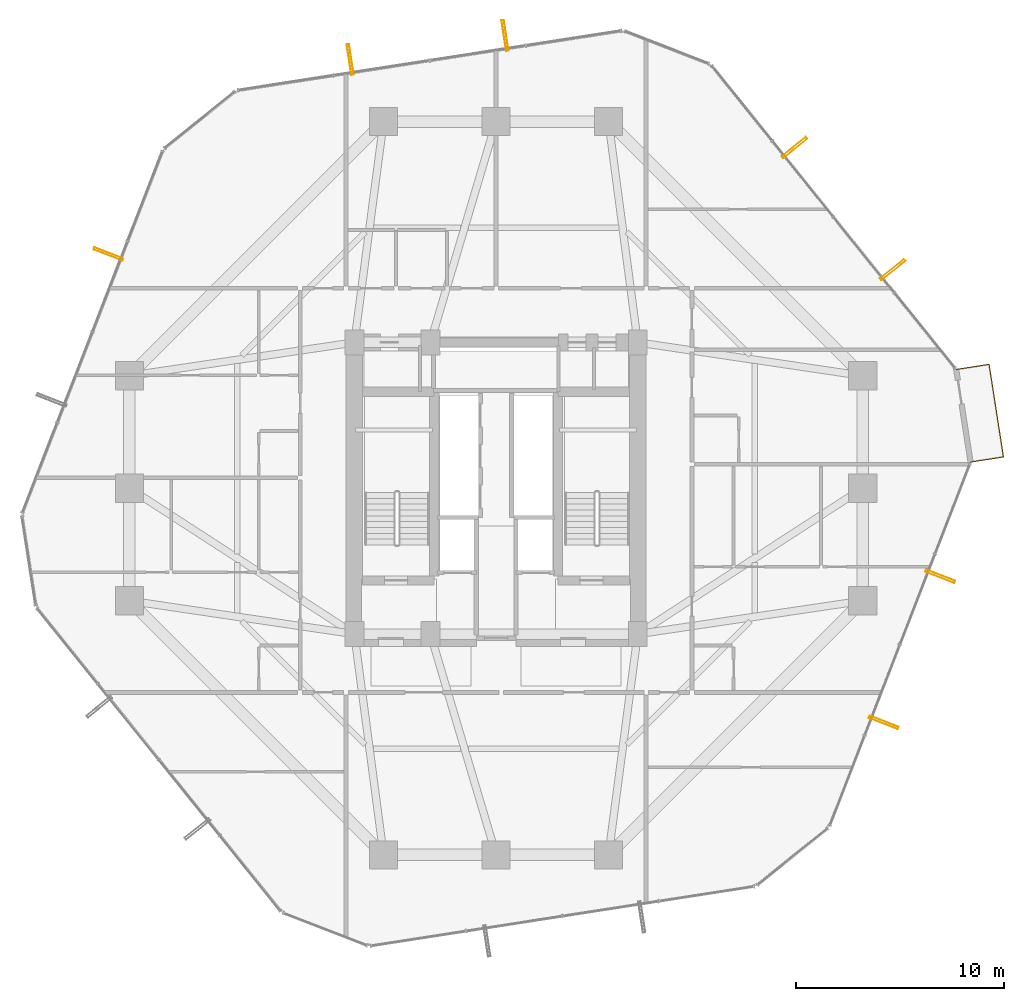
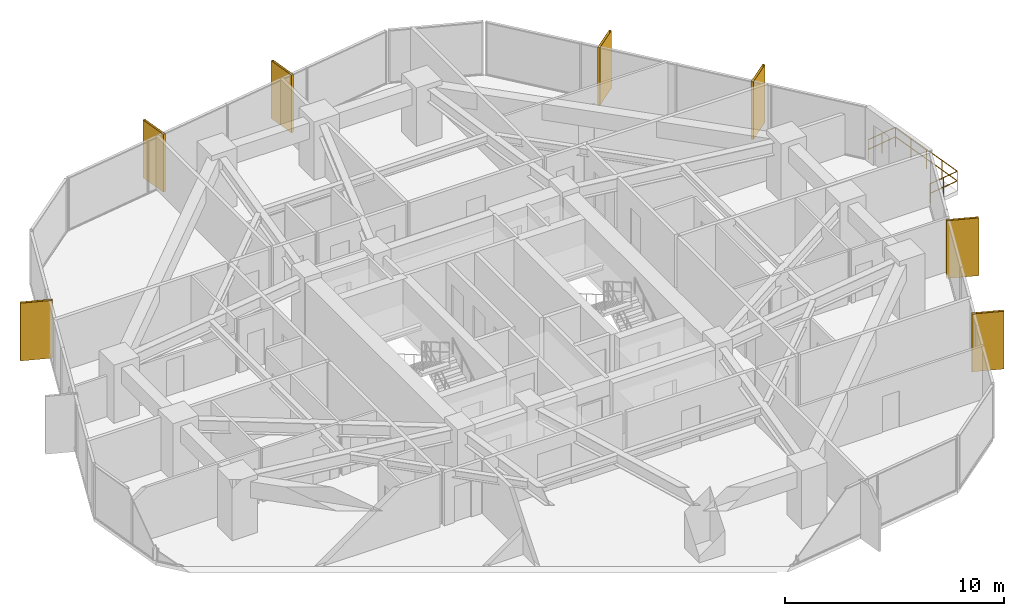
# One storey, part 37 of 37: 7 shading devices, 1 railing.
"""IFC4 building model written with IfcOpenShell, lengths in metres."""

from ifc_helpers import new_model, si_unit, direction, frame, origin, origin_2d, place, context, subcontext, project, spatial, hollow_rectangle, circle, extrude, material, material_profile, profile_set, type_object, element, save


model = new_model("IFC4")

# Units and contexts
model_context = context("Model", 3, precision=1e-05, world=origin(), true_north=direction((0.0, 1.0)))
body_context = subcontext(model_context, "Body", "Model", "MODEL_VIEW")
ifc_project = project(units=[si_unit("LENGTHUNIT", "METRE"), si_unit("AREAUNIT", "SQUARE_METRE"), si_unit("VOLUMEUNIT", "CUBIC_METRE"), si_unit("PLANEANGLEUNIT", "RADIAN"), si_unit("MASSUNIT", "GRAM", prefix="KILO")], contexts=[model_context])

# Site, building, storey
site_placement = place(None, origin())
site = spatial("IfcSite", under=ifc_project, at=site_placement, CompositionType="ELEMENT")
building_placement = place(site_placement, origin())
building = spatial("IfcBuilding", under=site, at=building_placement, Name="Veraguas Prism Commons", CompositionType="ELEMENT")
storey_placement = place(building_placement, frame((0.0, 0.0, 53.300048828125)))
storey = spatial("IfcBuildingStorey", under=building, at=storey_placement, Name="L14", CompositionType="ELEMENT", Elevation=53.300048828125)

# Shading devices
ifc_material_1 = material(Name="Anodised aluminium EN AW-6063 T6", Category="aluminium")
ifc_material_profile = material_profile(ifc_material_1, hollow_rectangle(XDim=0.1201171875, YDim=1.489990234375, WallThickness=0.006103515625, at=origin_2d()), Name="FIN120X1490X6")
ifc_profile_set = profile_set([ifc_material_profile], Name="Anodised aluminium EN AW-6063 T6")
shading_device_type = type_object("IfcShadingDeviceType", Name="Deep Pale-Metal Vertical Solar Fin 120x1490", PredefinedType="USERDEFINED", material=ifc_profile_set)
for number, where, z_axis, x_axis, name in (
    (1, (43.0380859375, 34.490966796875, -0.22998046875), (0.0, 0.0, 1.0), (-0.626874453633, 0.779120285567, 0.0), "Vertical Pale-Metal Solar Fin L14-F1A"),
    (2, (38.322998046875, 40.351318359375, -0.22998046875), (0.0, 0.0, 1.0), (-0.626874453633, 0.779120285567, 0.0), "Vertical Pale-Metal Solar Fin L14-F1B"),
    (3, (24.43359375, 45.73291015625, -0.22998046875), (0.0, 0.0, 1.0), (-0.98817491911, -0.153330783737, 0.0), "Vertical Pale-Metal Solar Fin L14-F2A"),
    (4, (17.0009765625, 44.579833984375, -0.22998046875), (0.0, 0.0, 1.0), (-0.98817491911, -0.153330783737, 0.0), "Vertical Pale-Metal Solar Fin L14-F2B"),
    (5, (5.3955078125, 35.241943359375, -0.22998046875), (0.0, 0.0, 1.0), (-0.361297478224, -0.932450605785, 0.0), "Vertical Pale-Metal Solar Fin L14-F3A"),
    (6, (42.6044921875, 12.758056640625, -0.22998046875), (0.0, 0.0, 1.0), (0.361297478224, 0.932450605785, 0.0), "Vertical Pale-Metal Solar Fin L14-F6A"),
    (7, (45.322021484375, 19.771484375, -0.22998046875), (0.0, 0.0, 1.0), (0.361297478224, 0.932450605785, 0.0), "Vertical Pale-Metal Solar Fin L14-F6B"),
):
    element("IfcShadingDevice", number, at=place(storey_placement, frame(where, z_axis=z_axis, x_axis=x_axis)), inside=storey, type_object=shading_device_type, Name=name, ObjectType="FIN", PredefinedType="USERDEFINED", context=body_context, shape_type="SweptSolid", body=[
        extrude(hollow_rectangle(XDim=0.1201171875, YDim=1.489990234375, WallThickness=0.006103515625, at=origin_2d()), origin(), (0.0, 0.0, 1.0), 3.219970703125),
    ])

# Railing
ifc_material_2 = material(Name="Stainless steel AISI 316", Category="steel")
railing_type = type_object("IfcRailingType", Name="Loggia and Sky Pool Glazed Balustrade 1120", PredefinedType="BALUSTRADE", material=ifc_material_2)
railing_placement = place(storey_placement, frame((46.777587890625, 25.25732421875, 0.0)))
element("IfcRailing", 8, at=railing_placement, inside=storey, type_object=railing_type, Name="Recessed Corner Loggia L14-C1 Guard", PredefinedType="BALUSTRADE", context=body_context, shape_type="SweptSolid", body=[
    extrude(circle(Radius=0.02392578125, at=origin_2d()), frame((0.0, 0.0, 1.09619140625), z_axis=(0.988171511411, 0.153352743818, 0.0), x_axis=(-0.153352743818, 0.988171511411, 0.0)), (0.0, 0.0, 1.0), 1.60009765625),
    extrude(circle(Radius=0.02392578125, at=origin_2d()), frame((0.0, 0.0, 0.56005859375), z_axis=(0.988171511411, 0.153352743818, 0.0), x_axis=(-0.153352743818, 0.988171511411, 0.0)), (0.0, 0.0, 1.0), 1.60009765625),
    extrude(circle(Radius=0.02392578125, at=origin_2d()), frame((1.5810546875, 0.245361328125, 1.09619140625), z_axis=(-0.153320888348, 0.988176454484, 0.0), x_axis=(-0.988176454484, -0.153320888348, 0.0)), (0.0, 0.0, 1.0), 4.5),
    extrude(circle(Radius=0.02392578125, at=origin_2d()), frame((1.5810546875, 0.245361328125, 0.56005859375), z_axis=(-0.153320888348, 0.988176454484, 0.0), x_axis=(-0.988176454484, -0.153320888348, 0.0)), (0.0, 0.0, 1.0), 4.5),
    extrude(circle(Radius=0.02392578125, at=origin_2d()), frame((0.89111328125, 4.692138671875, 1.09619140625), z_axis=(-0.988175099063, -0.153329623986, 0.0), x_axis=(0.153329623986, -0.988175099063, 0.0)), (0.0, 0.0, 1.0), 1.600341796875),
    extrude(circle(Radius=0.02392578125, at=origin_2d()), frame((0.89111328125, 4.692138671875, 0.56005859375), z_axis=(-0.988175099063, -0.153329623986, 0.0), x_axis=(0.153329623986, -0.988175099063, 0.0)), (0.0, 0.0, 1.0), 1.600341796875),
    extrude(circle(Radius=0.02099609375, at=origin_2d()), origin(), (0.0, 0.0, 1.0), 1.072021484375),
    extrude(circle(Radius=0.02099609375, at=origin_2d()), frame((0.79052734375, 0.12255859375, 0.0)), (0.0, 0.0, 1.0), 1.072021484375),
    extrude(circle(Radius=0.02099609375, at=origin_2d()), frame((1.5810546875, 0.245361328125, 0.0)), (0.0, 0.0, 1.0), 1.072021484375),
    extrude(circle(Radius=0.02099609375, at=origin_2d()), frame((1.40869140625, 1.35693359375, 0.0)), (0.0, 0.0, 1.0), 1.072021484375),
    extrude(circle(Radius=0.02099609375, at=origin_2d()), frame((1.236083984375, 2.46875, 0.0)), (0.0, 0.0, 1.0), 1.072021484375),
    extrude(circle(Radius=0.02099609375, at=origin_2d()), frame((1.0634765625, 3.58056640625, 0.0)), (0.0, 0.0, 1.0), 1.072021484375),
    extrude(circle(Radius=0.02099609375, at=origin_2d()), frame((0.89111328125, 4.692138671875, 0.0)), (0.0, 0.0, 1.0), 1.072021484375),
    extrude(circle(Radius=0.02099609375, at=origin_2d()), frame((0.1005859375, 4.5693359375, 0.0)), (0.0, 0.0, 1.0), 1.072021484375),
    extrude(circle(Radius=0.02099609375, at=origin_2d()), frame((-0.690185546875, 4.44677734375, 0.0)), (0.0, 0.0, 1.0), 1.072021484375),
])

save(model, "model.ifc")
